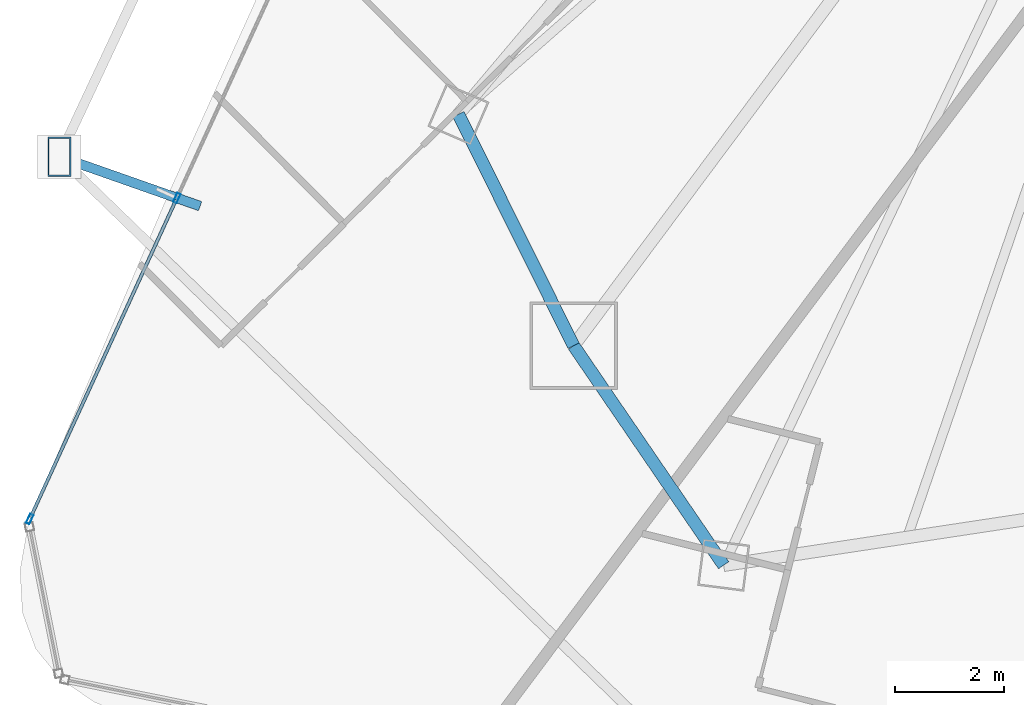
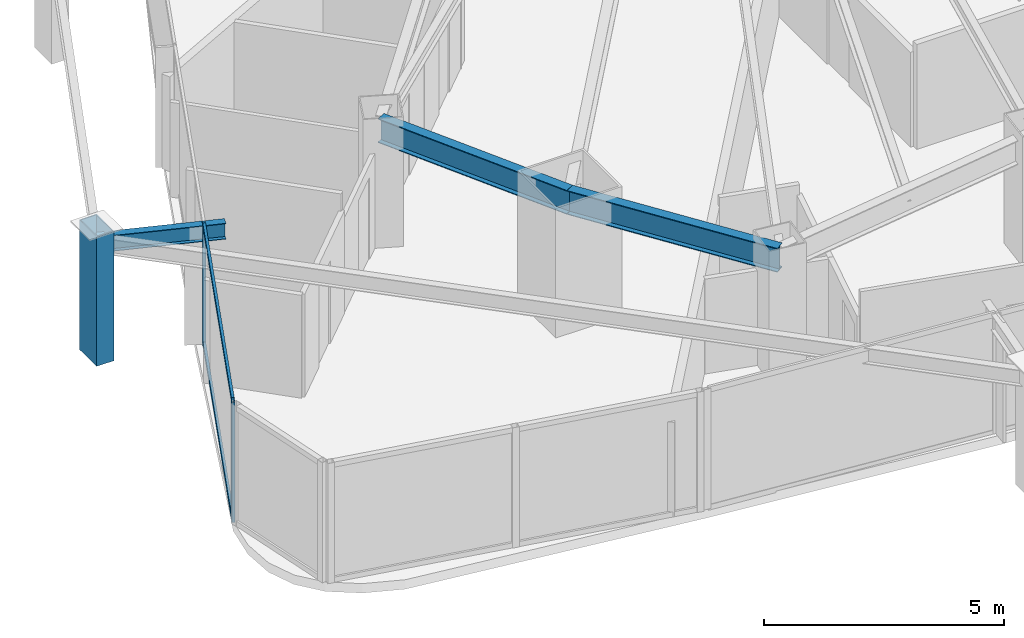
# One storey, part 5 of 35: 5 members, 3 beams, 1 element without a shape of its own.
"""IFC4 building model written with IfcOpenShell, lengths in metres."""

from ifc_helpers import new_model, si_unit, direction, frame, origin, origin_2d, place, context, subcontext, project, spatial, hollow_rectangle, i_section, extrude, material, layer, layer_set, material_profile, profile_set, type_object, element, aggregate, save


model = new_model("IFC4")

# Units and contexts
model_context = context("Model", 3, precision=1e-05, world=origin(), true_north=direction((0.0, 1.0)))
body_context = subcontext(model_context, "Body", "Model", "MODEL_VIEW")
ifc_project = project(units=[si_unit("LENGTHUNIT", "METRE"), si_unit("AREAUNIT", "SQUARE_METRE"), si_unit("VOLUMEUNIT", "CUBIC_METRE"), si_unit("PLANEANGLEUNIT", "RADIAN"), si_unit("MASSUNIT", "GRAM", prefix="KILO")], contexts=[model_context])

# Site, building, storey
site_placement = place(None, origin())
site = spatial("IfcSite", under=ifc_project, at=site_placement, CompositionType="ELEMENT")
building_placement = place(site_placement, origin())
building = spatial("IfcBuilding", under=site, at=building_placement, Name="Orvanel Arch Residences", CompositionType="ELEMENT")
storey_placement = place(building_placement, frame((0.0, 0.0, 40.10009765625)))
storey = spatial("IfcBuildingStorey", under=building, at=storey_placement, Name="L10", CompositionType="ELEMENT", Elevation=40.10009765625)

# Member
ifc_material_1 = material(Name="Structural steel AS/NZS 3678 Grade 350", Category="steel")
ifc_material_profile_1 = material_profile(ifc_material_1, hollow_rectangle(XDim=0.419921875, YDim=0.719970703125, WallThickness=0.02490234375, at=origin_2d()), Name="RHS720x420x25")
ifc_profile_set_1 = profile_set([ifc_material_profile_1], Name="Structural steel AS/NZS 3678 Grade 350")
member_type_1 = type_object("IfcMemberType", Name="CH-720RHS-EXT", PredefinedType="CHORD", material=ifc_profile_set_1)
member_1_placement = place(storey_placement, frame((4.801025390625, 13.804931640625, 0.0), z_axis=(0.0, 0.0, 1.0), x_axis=(1.0, 0.0, 0.0)))
element("IfcMember", 1, at=member_1_placement, inside=storey, type_object=member_type_1, Name="L10 Outer Perimeter Frame Post 04", PredefinedType="CHORD", context=body_context, shape_type="SweptSolid", body=[
    extrude(hollow_rectangle(XDim=0.419921875, YDim=0.719970703125, WallThickness=0.02490234375, at=origin_2d()), origin(), (0.0, 0.0, 1.0), 3.2998046875),
])

# Curtain wall, members
ifc_material_2 = material(Name="Bronze-anodised aluminium AA6063-T6", Category="aluminium")
ifc_layer = layer(ifc_material_2, 0.179931640625)
ifc_layer_set = layer_set([ifc_layer], Name="Bronze-anodised aluminium AA6063-T6")
curtain_wall_type = type_object("IfcCurtainWallType", Name="CW2-LOW-SYS", PredefinedType="NOTDEFINED", material=ifc_layer_set)
curtain_wall_placement = place(storey_placement, origin())
curtain_wall = element("IfcCurtainWall", 2, at=curtain_wall_placement, inside=storey, type_object=curtain_wall_type, Name="L10 CW2-LOW-SYS Unitised Curtain Wall", PredefinedType="NOTDEFINED")
ifc_material_profile_2 = material_profile(ifc_material_2, hollow_rectangle(XDim=0.070068359375, YDim=0.179931640625, WallThickness=0.00439453125, at=origin_2d()), Name="ALU180x70x4.5")
ifc_profile_set_2 = profile_set([ifc_material_profile_2], Name="Bronze-anodised aluminium AA6063-T6")
member_type_2 = type_object("IfcMemberType", Name="MUL-180x70", PredefinedType="MULLION", material=ifc_profile_set_2)
member_2_placement = place(storey_placement, frame((6.94921875, 13.048095703125, 0.0), z_axis=(0.0, 0.0, 1.0), x_axis=(0.909118333197, -0.416537940944, 0.0)))
member_2 = element("IfcMember", 3, at=member_2_placement, type_object=member_type_2, Name="CW-S2 mullion 3", PredefinedType="MULLION", context=body_context, shape_type="SweptSolid", body=[
    extrude(hollow_rectangle(XDim=0.070068359375, YDim=0.179931640625, WallThickness=0.00439453125, at=origin_2d()), origin(), (0.0, 0.0, 1.0), 3.059814453125),
])
member_3_placement = place(storey_placement, frame((4.261474609375, 7.181884765625, 0.0), z_axis=(0.0, 0.0, 1.0), x_axis=(0.909118333197, -0.416537940944, 0.0)))
member_3 = element("IfcMember", 4, at=member_3_placement, type_object=member_type_2, Name="CW-S2 mullion 4", PredefinedType="MULLION", context=body_context, shape_type="SweptSolid", body=[
    extrude(hollow_rectangle(XDim=0.070068359375, YDim=0.179931640625, WallThickness=0.00439453125, at=origin_2d()), origin(), (0.0, 0.0, 1.0), 3.059814453125),
])

# Beams
ifc_material_3 = material(Name="Structural steel AS/NZS 3679.1 Grade 300 (300 MPa)", Category="steel")
ifc_material_profile_3 = material_profile(ifc_material_3, i_section(OverallWidth=0.177978515625, OverallDepth=0.406005859375, WebThickness=0.0078125, FlangeThickness=0.0126953125, at=origin_2d()), Name="410UB59.7")
ifc_profile_set_3 = profile_set([ifc_material_profile_3], Name="Structural steel AS/NZS 3679.1 Grade 300 (300 MPa)")
beam_type_1 = type_object("IfcBeamType", Name="OB-410UB-EXT", PredefinedType="SPANDREL", material=ifc_profile_set_3)
beam_1_placement = place(storey_placement, frame((7.375, 12.90087890625, 2.85693359375), z_axis=(-0.943496442158, 0.331382654397, 0.0), x_axis=(-0.331382654397, -0.943496442158, 0.0)))
element("IfcBeam", 5, at=beam_1_placement, inside=storey, type_object=beam_type_1, Name="L10 Outer Frame Radial Tie Beam 04", PredefinedType="SPANDREL", context=body_context, shape_type="SweptSolid", body=[
    extrude(i_section(OverallWidth=0.177978515625, OverallDepth=0.406005859375, WebThickness=0.0078125, FlangeThickness=0.0126953125, at=origin_2d()), origin(), (0.0, 0.0, 1.0), 2.72802734375),
])
ifc_material_profile_4 = material_profile(ifc_material_3, i_section(OverallWidth=0.22900390625, OverallDepth=0.612060546875, WebThickness=0.011962890625, FlangeThickness=0.01953125, at=origin_2d()), Name="610UB125")
ifc_profile_set_4 = profile_set([ifc_material_profile_4], Name="Structural steel AS/NZS 3679.1 Grade 300 (300 MPa)")
beam_type_2 = type_object("IfcBeamType", Name="SP-610UB", PredefinedType="SPANDREL", material=ifc_profile_set_4)
beam_2_placement = place(storey_placement, frame((12.094970703125, 14.580078125, 2.75390625), z_axis=(0.44543469453, -0.895314432425, 0.0), x_axis=(0.895314432425, 0.44543469453, 0.0)))
element("IfcBeam", 6, at=beam_2_placement, inside=storey, type_object=beam_type_2, Name="L10 Perimeter Spandrel Beam 02", PredefinedType="SPANDREL", context=body_context, shape_type="SweptSolid", body=[
    extrude(i_section(OverallWidth=0.22900390625, OverallDepth=0.612060546875, WebThickness=0.011962890625, FlangeThickness=0.01953125, at=origin_2d()), origin(), (0.0, 0.0, 1.0), 4.723388671875),
])
beam_3_placement = place(storey_placement, frame((14.198974609375, 10.35107421875, 2.75390625), z_axis=(0.564251579852, -0.825602903722, 0.0), x_axis=(0.825602903722, 0.564251579852, 0.0)))
element("IfcBeam", 7, at=beam_3_placement, inside=storey, type_object=beam_type_2, Name="L10 Perimeter Spandrel Beam 03", PredefinedType="SPANDREL", context=body_context, shape_type="SweptSolid", body=[
    extrude(i_section(OverallWidth=0.22900390625, OverallDepth=0.612060546875, WebThickness=0.011962890625, FlangeThickness=0.01953125, at=origin_2d()), origin(), (0.0, 0.0, 1.0), 4.859375),
])

# Member
ifc_material_profile_5 = material_profile(ifc_material_2, hollow_rectangle(XDim=0.06005859375, YDim=0.135009765625, WallThickness=0.00390625, at=origin_2d()), Name="ALU135x60x4")
ifc_profile_set_5 = profile_set([ifc_material_profile_5], Name="Bronze-anodised aluminium AA6063-T6")
member_type_3 = type_object("IfcMemberType", Name="TRN-135x60", PredefinedType="USERDEFINED", material=ifc_profile_set_5)
member_4_placement = place(storey_placement, frame((6.934814453125, 13.01611328125, 0.02978515625), z_axis=(-0.416553290639, -0.909111300149, 0.0), x_axis=(0.909111300149, -0.416553290639, 0.0)))
member_4 = element("IfcMember", 8, at=member_4_placement, type_object=member_type_3, Name="CW-S2 transom 3.1", ObjectType="TRANSOM", PredefinedType="USERDEFINED", context=body_context, shape_type="SweptSolid", body=[
    extrude(hollow_rectangle(XDim=0.06005859375, YDim=0.135009765625, WallThickness=0.00390625, at=origin_2d()), origin(), (0.0, 0.0, 1.0), 6.382568359375),
])

member_5_placement = place(storey_placement, frame((6.934814453125, 13.01611328125, 3.02978515625), z_axis=(-0.416553290639, -0.909111300149, 0.0), x_axis=(0.909111300149, -0.416553290639, 0.0)))
member_5 = element("IfcMember", 9, at=member_5_placement, type_object=member_type_3, Name="CW-S2 transom 3.2", ObjectType="TRANSOM", PredefinedType="USERDEFINED", context=body_context, shape_type="SweptSolid", body=[
    extrude(hollow_rectangle(XDim=0.06005859375, YDim=0.135009765625, WallThickness=0.00390625, at=origin_2d()), origin(), (0.0, 0.0, 1.0), 6.382568359375),
])

aggregate(curtain_wall, [member_2, member_3, member_4, member_5])

save(model, "model.ifc")
